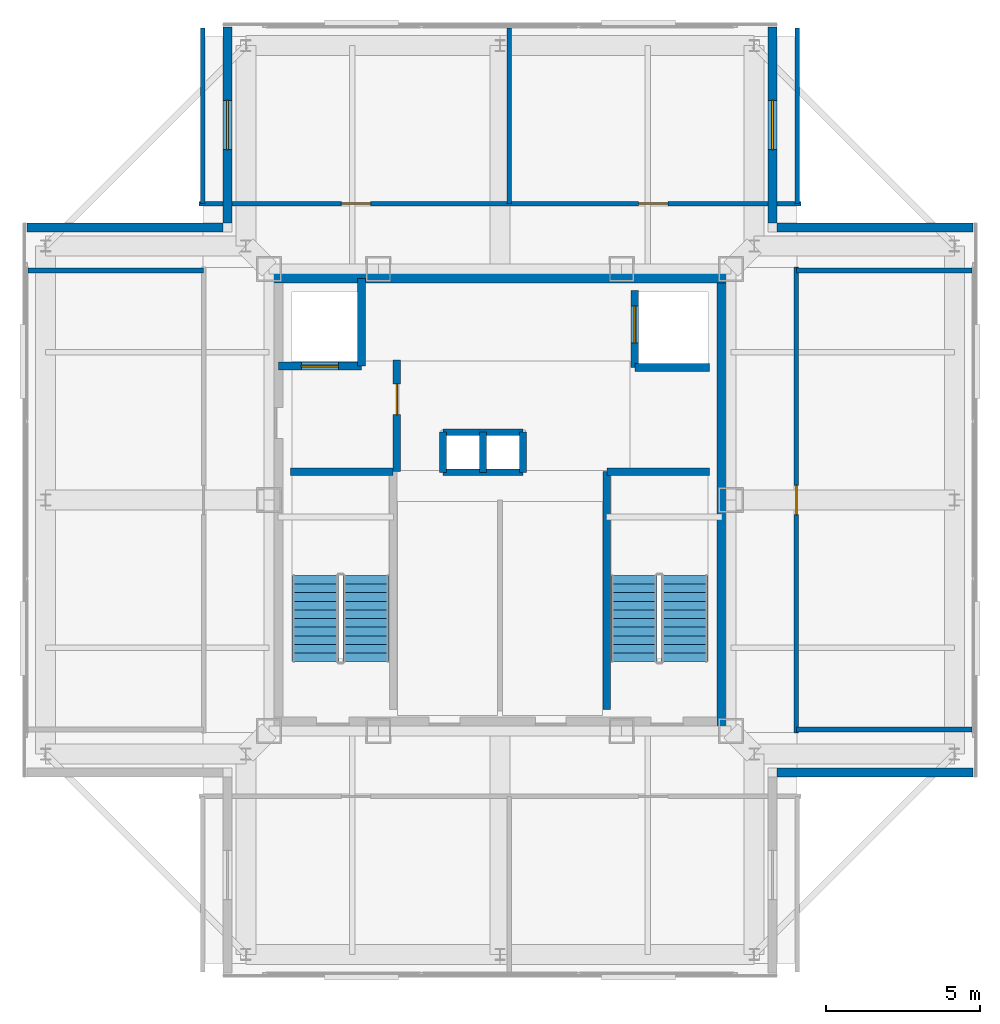
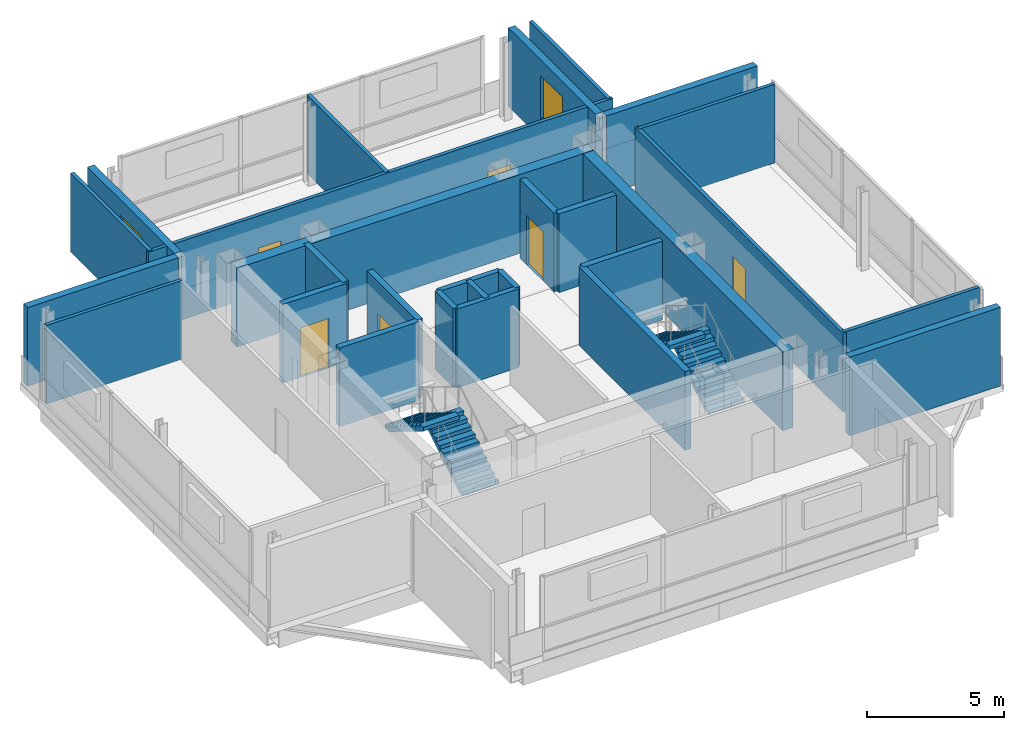
# One storey, part 7 of 10: 28 walls, 6 doors, 4 stair flights, 2 windows, 8 openings, 2 elements without a shape of their own.
"""IFC4 building model written with IfcOpenShell, lengths in metres."""

from ifc_helpers import new_model, si_unit, direction, frame, frame_2d, origin, place, context, subcontext, project, spatial, polyline, rectangle, outline, extrude, material, layer, layer_set, type_object, element, fill, aggregate, save


model = new_model("IFC4")

# Units and contexts
model_context = context("Model", 3, precision=1e-05, world=origin(), true_north=direction((0.0, 1.0)))
body_context = subcontext(model_context, "Body", "Model", "MODEL_VIEW")
ifc_project = project(units=[si_unit("LENGTHUNIT", "METRE"), si_unit("AREAUNIT", "SQUARE_METRE"), si_unit("VOLUMEUNIT", "CUBIC_METRE"), si_unit("PLANEANGLEUNIT", "RADIAN"), si_unit("MASSUNIT", "GRAM", prefix="KILO")], contexts=[model_context])

# Site, building, storey
site_placement = place(None, origin())
site = spatial("IfcSite", under=ifc_project, at=site_placement, CompositionType="ELEMENT")
building_placement = place(site_placement, origin())
building = spatial("IfcBuilding", under=site, at=building_placement, Name="Trevonay Congress Spire", CompositionType="ELEMENT")
storey_placement = place(building_placement, frame((0.0, 0.0, 319.800048828125)))
storey = spatial("IfcBuildingStorey", under=building, at=storey_placement, Name="L84", CompositionType="ELEMENT", Elevation=319.800048828125)

# Walls
ifc_material_1 = material(Name="Concrete C50/60", Category="concrete")
ifc_layer_1 = layer(ifc_material_1, 0.449951171875, Name="Concrete C50/60")
ifc_layer_set_1 = layer_set([ifc_layer_1], Name="Concrete C50/60")
wall_type_1 = type_object("IfcWallType", Name="WAL-CORE-450", PredefinedType="SHEAR", material=ifc_layer_set_1)
for number, where, z_axis, x_axis, name in (
    (1, (-7.5, 7.27490234375, 0.0), (0.0, 0.0, 1.0), (1.0, 0.0, 0.0), "L84 North structural core shear wall"),
    (2, (7.27490234375, -7.5, 0.0), (0.0, 0.0, 1.0), (0.0, 1.0, 0.0), "L84 East structural core shear wall"),
):
    element("IfcWall", number, at=place(storey_placement, frame(where, z_axis=z_axis, x_axis=x_axis)), inside=storey, type_object=wall_type_1, Name=name, PredefinedType="SHEAR", context=body_context, shape_type="SweptSolid", body=[
        extrude(rectangle(XDim=15.0, YDim=0.449951171875, at=frame_2d((7.5, 0.0))), origin(), (0.0, 0.0, 1.0), 3.5),
    ])

# Wall, openings, doors
ifc_material_2 = material(Name="Concrete C40/50", Category="concrete")
ifc_layer_2 = layer(ifc_material_2, 0.14990234375, Name="Concrete C40/50")
ifc_layer_set_2 = layer_set([ifc_layer_2], Name="Concrete C40/50")
wall_type_2 = type_object("IfcWallType", Name="WAL-CORR-150", PredefinedType="PARTITIONING", material=ifc_layer_set_2)
wall_1_placement = place(storey_placement, frame((-9.77001953125, 9.6201171875, 0.0), z_axis=(0.0, 0.0, 1.0), x_axis=(1.0, 0.0, 0.0)))
wall_1 = element("IfcWall", 3, at=wall_1_placement, inside=storey, type_object=wall_type_2, Name="L84 interior wall WP-L84N-COR", PredefinedType="PARTITIONING", context=body_context, shape_type="SweptSolid", body=[
    extrude(rectangle(XDim=19.5400390625, YDim=0.14990234375, at=frame_2d((9.77001953125, 0.0))), origin(), (0.0, 0.0, 1.0), 3.5),
])
opening_1_placement = place(wall_1_placement, frame((4.6201171875, 0.0, 0.0)))
opening_1 = element("IfcOpeningElement", 4, at=opening_1_placement, cuts=wall_1, Name="Opening D07", PredefinedType="OPENING", context=body_context, shape_type="SweptSolid", body=[
    extrude(rectangle(XDim=0.949951171875, YDim=2.06005859375, at=frame_2d((0.47509765625, 1.030029296875))), frame((0.0, 0.0849609375, 0.0), z_axis=(0.0, -1.0, 0.0), x_axis=(1.0, 0.0, 0.0)), (0.0, 0.0, 1.0), 0.169921875),
])
opening_2_placement = place(wall_1_placement, frame((14.27001953125, 0.0, 0.0)))
opening_2 = element("IfcOpeningElement", 5, at=opening_2_placement, cuts=wall_1, Name="Opening D07", PredefinedType="OPENING", context=body_context, shape_type="SweptSolid", body=[
    extrude(rectangle(XDim=0.949951171875, YDim=2.06005859375, at=frame_2d((0.47509765625, 1.030029296875))), frame((0.0, 0.0849609375, 0.0), z_axis=(0.0, -1.0, 0.0), x_axis=(1.0, 0.0, 0.0)), (0.0, 0.0, 1.0), 0.169921875),
])
ifc_material_3 = material(Name="Pale Anodised Aluminium EN AW-6063-T6", Category="aluminium")
door_type_1 = type_object("IfcDoorType", Name="DOR-OFFICE-95", OperationType="NOTDEFINED", PredefinedType="DOOR", material=ifc_material_3)
door_1_placement = place(opening_1_placement, origin())
door_1 = element("IfcDoor", 6, at=door_1_placement, inside=storey, type_object=door_type_1, Name="L84 Crown Electrical Switchroom Plant Door", OperationType="SINGLE_SWING_RIGHT", OverallHeight=2.06005859375, OverallWidth=0.949951171875, PredefinedType="DOOR", context=body_context, shape_type="SweptSolid", body=[
    extrude(rectangle(XDim=0.949951171875, YDim=2.06005859375, at=frame_2d((0.47509765625, 1.030029296875))), frame((0.0, 0.02490234375, 0.0), z_axis=(0.0, -1.0, 0.0), x_axis=(1.0, 0.0, 0.0)), (0.0, 0.0, 1.0), 0.050048828125),
])
fill(opening_1, door_1)
door_2_placement = place(opening_2_placement, origin())
door_2 = element("IfcDoor", 7, at=door_2_placement, inside=storey, type_object=door_type_1, Name="L84 Standby UPS Battery Plant Door", OperationType="SINGLE_SWING_LEFT", OverallHeight=2.06005859375, OverallWidth=0.949951171875, PredefinedType="DOOR", context=body_context, shape_type="SweptSolid", body=[
    extrude(rectangle(XDim=0.949951171875, YDim=2.06005859375, at=frame_2d((0.47509765625, 1.030029296875))), frame((0.0, 0.02490234375, 0.0), z_axis=(0.0, -1.0, 0.0), x_axis=(1.0, 0.0, 0.0)), (0.0, 0.0, 1.0), 0.050048828125),
])
fill(opening_2, door_2)

# Wall, opening, door
wall_2_placement = place(storey_placement, frame((9.6201171875, -7.570068359375, 0.0), z_axis=(0.0, 0.0, 1.0), x_axis=(0.0, 1.0, 0.0)))
wall_2 = element("IfcWall", 8, at=wall_2_placement, inside=storey, type_object=wall_type_2, Name="L84 interior wall WP-L84E-COR", PredefinedType="PARTITIONING", context=body_context, shape_type="SweptSolid", body=[
    extrude(rectangle(XDim=15.14013671875, YDim=0.14990234375, at=frame_2d((7.570068359375, 0.0))), origin(), (0.0, 0.0, 1.0), 3.5),
])
opening_3_placement = place(wall_2_placement, frame((7.094970703125, 0.0, 0.0)))
opening_3 = element("IfcOpeningElement", 9, at=opening_3_placement, cuts=wall_2, Name="Opening D07", PredefinedType="OPENING", context=body_context, shape_type="SweptSolid", body=[
    extrude(rectangle(XDim=0.949951171875, YDim=2.06005859375, at=frame_2d((0.47509765625, 1.030029296875))), frame((0.0, 0.0849609375, 0.0), z_axis=(0.0, -1.0, 0.0), x_axis=(1.0, 0.0, 0.0)), (0.0, 0.0, 1.0), 0.169921875),
])
door_3_placement = place(opening_3_placement, origin())
door_3 = element("IfcDoor", 10, at=door_3_placement, inside=storey, type_object=door_type_1, Name="L84 Crown Lift Machine Plant Door", OperationType="SINGLE_SWING_LEFT", OverallHeight=2.06005859375, OverallWidth=0.949951171875, PredefinedType="DOOR", context=body_context, shape_type="SweptSolid", body=[
    extrude(rectangle(XDim=0.949951171875, YDim=2.06005859375, at=frame_2d((0.47509765625, 1.030029296875))), frame((0.0, 0.02490234375, 0.0), z_axis=(0.0, -1.0, 0.0), x_axis=(1.0, 0.0, 0.0)), (0.0, 0.0, 1.0), 0.050048828125),
])
fill(opening_3, door_3)

# Wall
ifc_material_4 = material(Name="Precast concrete C40/50", Category="concrete")
ifc_layer_3 = layer(ifc_material_4, 0.300048828125, Name="Precast concrete C40/50")
ifc_layer_set_3 = layer_set([ifc_layer_3], Name="Precast concrete C40/50")
wall_type_3 = type_object("IfcWallType", Name="WAL-EXT-PRECAST-300", PredefinedType="SOLIDWALL", material=ifc_layer_set_3)
wall_3_placement = place(storey_placement, frame((15.35009765625, -8.85009765625, 0.0), z_axis=(0.0, 0.0, 1.0), x_axis=(-1.0, 0.0, 0.0)))
element("IfcWall", 11, at=wall_3_placement, inside=storey, type_object=wall_type_3, Name="L84 SE re-entrant notch exterior wall 2", PredefinedType="SOLIDWALL", context=body_context, shape_type="SweptSolid", body=[
    extrude(rectangle(XDim=6.35009765625, YDim=0.300048828125, at=frame_2d((3.175048828125, 0.0))), origin(), (0.0, 0.0, 1.0), 3.5),
])

# Wall, opening, window
wall_4_placement = place(storey_placement, frame((8.85009765625, 15.35009765625, 0.0), z_axis=(0.0, 0.0, 1.0), x_axis=(0.0, -1.0, 0.0)))
wall_4 = element("IfcWall", 12, at=wall_4_placement, inside=storey, type_object=wall_type_3, Name="L84 NE re-entrant notch exterior wall 1", PredefinedType="SOLIDWALL", context=body_context, shape_type="SweptSolid", body=[
    extrude(rectangle(XDim=6.35009765625, YDim=0.300048828125, at=frame_2d((3.175048828125, 0.0))), origin(), (0.0, 0.0, 1.0), 3.5),
])
opening_4_placement = place(wall_4_placement, frame((2.375, 0.0, 0.89990234375)))
opening_4 = element("IfcOpeningElement", 13, at=opening_4_placement, cuts=wall_4, Name="Opening WN04", PredefinedType="OPENING", context=body_context, shape_type="SweptSolid", body=[
    extrude(rectangle(XDim=1.60009765625, YDim=1.89990234375, at=frame_2d((0.800048828125, 0.949951171875))), frame((0.0, 0.16015625, 0.0), z_axis=(0.0, -1.0, 0.0), x_axis=(1.0, 0.0, 0.0)), (0.0, 0.0, 1.0), 0.320068359375),
])
ifc_material_5 = material(Name="Insulated Low-E Vision Glass IGU", Category="glass")
window_type = type_object("IfcWindowType", Name="WIN-CROWN-160X190", PartitioningType="SINGLE_PANEL", PredefinedType="WINDOW", material=ifc_material_5)
window_1_placement = place(opening_4_placement, origin())
window_1 = element("IfcWindow", 14, at=window_1_placement, inside=storey, type_object=window_type, Name="L84 NE corner notch window", OverallHeight=1.89990234375, OverallWidth=1.60009765625, PartitioningType="SINGLE_PANEL", PredefinedType="WINDOW", context=body_context, shape_type="SweptSolid", body=[
    extrude(rectangle(XDim=1.60009765625, YDim=1.89990234375, at=frame_2d((0.800048828125, 0.949951171875))), frame((0.0, 0.030029296875, 0.0), z_axis=(0.0, -1.0, 0.0), x_axis=(1.0, 0.0, 0.0)), (0.0, 0.0, 1.0), 0.06005859375),
])
fill(opening_4, window_1)

# Wall
wall_5_placement = place(storey_placement, frame((15.35009765625, 8.85009765625, 0.0), z_axis=(0.0, 0.0, 1.0), x_axis=(-1.0, 0.0, 0.0)))
element("IfcWall", 15, at=wall_5_placement, inside=storey, type_object=wall_type_3, Name="L84 NE re-entrant notch exterior wall 2", PredefinedType="SOLIDWALL", context=body_context, shape_type="SweptSolid", body=[
    extrude(rectangle(XDim=6.35009765625, YDim=0.300048828125, at=frame_2d((3.175048828125, 0.0))), origin(), (0.0, 0.0, 1.0), 3.5),
])

# Wall, opening, window
wall_6_placement = place(storey_placement, frame((-8.85009765625, 15.35009765625, 0.0), z_axis=(0.0, 0.0, 1.0), x_axis=(0.0, -1.0, 0.0)))
wall_6 = element("IfcWall", 16, at=wall_6_placement, inside=storey, type_object=wall_type_3, Name="L84 NW re-entrant notch exterior wall 1", PredefinedType="SOLIDWALL", context=body_context, shape_type="SweptSolid", body=[
    extrude(rectangle(XDim=6.35009765625, YDim=0.300048828125, at=frame_2d((3.175048828125, 0.0))), origin(), (0.0, 0.0, 1.0), 3.5),
])
opening_5_placement = place(wall_6_placement, frame((2.375, 0.0, 0.89990234375)))
opening_5 = element("IfcOpeningElement", 17, at=opening_5_placement, cuts=wall_6, Name="Opening WN04", PredefinedType="OPENING", context=body_context, shape_type="SweptSolid", body=[
    extrude(rectangle(XDim=1.60009765625, YDim=1.89990234375, at=frame_2d((0.800048828125, 0.949951171875))), frame((0.0, 0.16015625, 0.0), z_axis=(0.0, -1.0, 0.0), x_axis=(1.0, 0.0, 0.0)), (0.0, 0.0, 1.0), 0.320068359375),
])
window_2_placement = place(opening_5_placement, origin())
window_2 = element("IfcWindow", 18, at=window_2_placement, inside=storey, type_object=window_type, Name="L84 NW corner notch window", OverallHeight=1.89990234375, OverallWidth=1.60009765625, PartitioningType="SINGLE_PANEL", PredefinedType="WINDOW", context=body_context, shape_type="SweptSolid", body=[
    extrude(rectangle(XDim=1.60009765625, YDim=1.89990234375, at=frame_2d((0.800048828125, 0.949951171875))), frame((0.0, 0.030029296875, 0.0), z_axis=(0.0, -1.0, 0.0), x_axis=(1.0, 0.0, 0.0)), (0.0, 0.0, 1.0), 0.06005859375),
])
fill(opening_5, window_2)

# Walls
wall_7_placement = place(storey_placement, frame((-15.35009765625, 8.85009765625, 0.0), z_axis=(0.0, 0.0, 1.0), x_axis=(1.0, 0.0, 0.0)))
element("IfcWall", 19, at=wall_7_placement, inside=storey, type_object=wall_type_3, Name="L84 NW re-entrant notch exterior wall 2", PredefinedType="SOLIDWALL", context=body_context, shape_type="SweptSolid", body=[
    extrude(rectangle(XDim=6.35009765625, YDim=0.300048828125, at=frame_2d((3.175048828125, 0.0))), origin(), (0.0, 0.0, 1.0), 3.5),
])
ifc_layer_4 = layer(ifc_material_2, 0.14990234375, Name="Concrete C40/50")
ifc_layer_set_4 = layer_set([ifc_layer_4], Name="Concrete C40/50")
wall_type_4 = type_object("IfcWallType", Name="WAL-PART-150", PredefinedType="PARTITIONING", material=ifc_layer_set_4)
for number, where, z_axis, x_axis, name in (
    (20, (-9.64990234375, 9.6201171875, 0.0), (0.0, 0.0, 1.0), (0.0, 1.0, 0.0), "L84 interior wall WP-L84N-DIV1"),
    (21, (0.300048828125, 9.6201171875, 0.0), (0.0, 0.0, 1.0), (0.0, 1.0, 0.0), "L84 interior wall WP-L84N-DIV2"),
    (22, (9.64990234375, 9.6201171875, 0.0), (0.0, 0.0, 1.0), (0.0, 1.0, 0.0), "L84 interior wall WP-L84N-DIV3"),
    (23, (-15.320068359375, 7.449951171875, 0.0), (0.0, 0.0, 1.0), (1.0, 0.0, 0.0), "L84 interior wall WP-L84W-DIV2"),
    (24, (9.6201171875, -7.449951171875, 0.0), (0.0, 0.0, 1.0), (1.0, 0.0, 0.0), "L84 interior wall WP-L84E-DIV1"),
    (25, (9.6201171875, 7.449951171875, 0.0), (0.0, 0.0, 1.0), (1.0, 0.0, 0.0), "L84 interior wall WP-L84E-DIV2"),
):
    element("IfcWall", number, at=place(storey_placement, frame(where, z_axis=z_axis, x_axis=x_axis)), inside=storey, type_object=wall_type_4, Name=name, PredefinedType="PARTITIONING", context=body_context, shape_type="SweptSolid", body=[
        extrude(rectangle(XDim=5.699951171875, YDim=0.14990234375, at=frame_2d((2.85009765625, 0.0))), origin(), (0.0, 0.0, 1.0), 3.5),
    ])
ifc_layer_5 = layer(ifc_material_2, 0.219970703125, Name="Concrete C40/50")
ifc_layer_set_5 = layer_set([ifc_layer_5], Name="Concrete C40/50")
wall_type_5 = type_object("IfcWallType", Name="WAL-SHAFT-220", PredefinedType="PARTITIONING", material=ifc_layer_set_5)
for number, where, z_axis, x_axis, name in (
    (26, (-1.85009765625, 2.199951171875, 0.0), (0.0, 0.0, 1.0), (1.0, 0.0, 0.0), "L84 interior shaft wall WSH-L84-RSR-N"),
    (27, (-1.85009765625, 0.89990234375, 0.0), (0.0, 0.0, 1.0), (1.0, 0.0, 0.0), "L84 interior shaft wall WSH-L84-RSR-S"),
):
    element("IfcWall", number, at=place(storey_placement, frame(where, z_axis=z_axis, x_axis=x_axis)), inside=storey, type_object=wall_type_5, Name=name, PredefinedType="PARTITIONING", context=body_context, shape_type="SweptSolid", body=[
        extrude(rectangle(XDim=2.60009765625, YDim=0.219970703125, at=frame_2d((1.300048828125, 0.0))), origin(), (0.0, 0.0, 1.0), 3.5),
    ])
for number, where, z_axis, x_axis, name in (
    (28, (-0.550048828125, 0.89990234375, 0.0), (0.0, 0.0, 1.0), (0.0, 1.0, 0.0), "L84 interior shaft wall WSH-L84-RSR-M"),
    (29, (0.75, 0.89990234375, 0.0), (0.0, 0.0, 1.0), (0.0, 1.0, 0.0), "L84 interior shaft wall WSH-L84-RSR-E"),
    (30, (-1.85009765625, 0.89990234375, 0.0), (0.0, 0.0, 1.0), (0.0, 1.0, 0.0), "L84 interior shaft wall WSH-L84-RSR-W"),
):
    element("IfcWall", number, at=place(storey_placement, frame(where, z_axis=z_axis, x_axis=x_axis)), inside=storey, type_object=wall_type_5, Name=name, PredefinedType="PARTITIONING", context=body_context, shape_type="SweptSolid", body=[
        extrude(rectangle(XDim=1.300048828125, YDim=0.219970703125, at=frame_2d((0.64990234375, 0.0))), origin(), (0.0, 0.0, 1.0), 3.5),
    ])

# Wall, opening, door
ifc_layer_6 = layer(ifc_material_2, 0.25, Name="Concrete C40/50")
ifc_layer_set_6 = layer_set([ifc_layer_6], Name="Concrete C40/50")
wall_type_6 = type_object("IfcWallType", Name="WAL-SHAFT-250", PredefinedType="SHEAR", material=ifc_layer_set_6)
wall_8_placement = place(storey_placement, frame((-7.199951171875, 4.35009765625, 0.0), z_axis=(0.0, 0.0, 1.0), x_axis=(1.0, 0.0, 0.0)))
wall_8 = element("IfcWall", 31, at=wall_8_placement, inside=storey, type_object=wall_type_6, Name="L84 interior shaft wall WSH-L84-FF1-S", PredefinedType="SHEAR", context=body_context, shape_type="SweptSolid", body=[
    extrude(rectangle(XDim=2.699951171875, YDim=0.25, at=frame_2d((1.35009765625, 0.0))), origin(), (0.0, 0.0, 1.0), 3.5),
])
opening_6_placement = place(wall_8_placement, frame((0.75, 0.0, 0.0)))
opening_6 = element("IfcOpeningElement", 32, at=opening_6_placement, cuts=wall_8, Name="Opening LD04", PredefinedType="OPENING", context=body_context, shape_type="SweptSolid", body=[
    extrude(rectangle(XDim=1.199951171875, YDim=2.199951171875, at=frame_2d((0.60009765625, 1.10009765625))), frame((0.0, 0.135009765625, 0.0), z_axis=(0.0, -1.0, 0.0), x_axis=(1.0, 0.0, 0.0)), (0.0, 0.0, 1.0), 0.27001953125),
])
ifc_material_6 = material(Name="Steel ASTM A572 Grade 50", Category="steel")
door_type_2 = type_object("IfcDoorType", Name="DOR-LIFT-LD04", OperationType="DOUBLE_DOOR_SLIDING", PredefinedType="DOOR", material=ifc_material_6)
door_4_placement = place(opening_6_placement, origin())
door_4 = element("IfcDoor", 33, at=door_4_placement, inside=storey, type_object=door_type_2, Name="L84 Firefighting lift FFL-01 landing door", OperationType="DOUBLE_DOOR_SLIDING", OverallHeight=2.199951171875, OverallWidth=1.199951171875, PredefinedType="DOOR", context=body_context, shape_type="SweptSolid", body=[
    extrude(rectangle(XDim=1.199951171875, YDim=2.199951171875, at=frame_2d((0.60009765625, 1.10009765625))), frame((0.0, 0.02490234375, 0.0), z_axis=(0.0, -1.0, 0.0), x_axis=(1.0, 0.0, 0.0)), (0.0, 0.0, 1.0), 0.050048828125),
])
fill(opening_6, door_4)

# Walls
wall_9_placement = place(storey_placement, frame((-4.5, 4.35009765625, 0.0), z_axis=(0.0, 0.0, 1.0), x_axis=(0.0, 1.0, 0.0)))
element("IfcWall", 34, at=wall_9_placement, inside=storey, type_object=wall_type_6, Name="L84 interior shaft wall WSH-L84-FF1-E", PredefinedType="SHEAR", context=body_context, shape_type="SweptSolid", body=[
    extrude(rectangle(XDim=2.849853515625, YDim=0.25, at=frame_2d((1.4248046875, 0.0))), origin(), (0.0, 0.0, 1.0), 3.5),
])
wall_10_placement = place(storey_placement, frame((4.3798828125, 4.300048828125, 0.0), z_axis=(0.0, 0.0, 1.0), x_axis=(1.0, 0.0, 0.0)))
element("IfcWall", 35, at=wall_10_placement, inside=storey, type_object=wall_type_6, Name="L84 interior shaft wall WSH-L84-FF2-S", PredefinedType="SHEAR", context=body_context, shape_type="SweptSolid", body=[
    extrude(rectangle(XDim=2.420166015625, YDim=0.25, at=frame_2d((1.2099609375, 0.0))), origin(), (0.0, 0.0, 1.0), 3.5),
])

# Wall, opening, door
wall_11_placement = place(storey_placement, frame((4.3798828125, 4.300048828125, 0.0), z_axis=(0.0, 0.0, 1.0), x_axis=(0.0, 1.0, 0.0)))
wall_11 = element("IfcWall", 36, at=wall_11_placement, inside=storey, type_object=wall_type_6, Name="L84 interior shaft wall WSH-L84-FF2-W", PredefinedType="SHEAR", context=body_context, shape_type="SweptSolid", body=[
    extrude(rectangle(XDim=2.5, YDim=0.25, at=frame_2d((1.25, 0.0))), origin(), (0.0, 0.0, 1.0), 3.5),
])
opening_7_placement = place(wall_11_placement, frame((0.800048828125, 0.0, 0.0)))
opening_7 = element("IfcOpeningElement", 37, at=opening_7_placement, cuts=wall_11, Name="Opening LD04", PredefinedType="OPENING", context=body_context, shape_type="SweptSolid", body=[
    extrude(rectangle(XDim=1.199951171875, YDim=2.199951171875, at=frame_2d((0.60009765625, 1.10009765625))), frame((0.0, 0.135009765625, 0.0), z_axis=(0.0, -1.0, 0.0), x_axis=(1.0, 0.0, 0.0)), (0.0, 0.0, 1.0), 0.27001953125),
])
door_5_placement = place(opening_7_placement, origin())
door_5 = element("IfcDoor", 38, at=door_5_placement, inside=storey, type_object=door_type_2, Name="L84 Firefighting lift FFL-02 landing door", OperationType="DOUBLE_DOOR_SLIDING", OverallHeight=2.199951171875, OverallWidth=1.199951171875, PredefinedType="DOOR", context=body_context, shape_type="SweptSolid", body=[
    extrude(rectangle(XDim=1.199951171875, YDim=2.199951171875, at=frame_2d((0.60009765625, 1.10009765625))), frame((0.0, 0.02490234375, 0.0), z_axis=(0.0, -1.0, 0.0), x_axis=(1.0, 0.0, 0.0)), (0.0, 0.0, 1.0), 0.050048828125),
])
fill(opening_7, door_5)

wall_12_placement = place(storey_placement, frame((-3.35009765625, 0.919921875, 0.0), z_axis=(0.0, 0.0, 1.0), x_axis=(0.0, 1.0, 0.0)))
wall_12 = element("IfcWall", 39, at=wall_12_placement, inside=storey, type_object=wall_type_6, Name="L84 interior wall CW-FFLW-E-L84", PredefinedType="SHEAR", context=body_context, shape_type="SweptSolid", body=[
    extrude(rectangle(XDim=3.6201171875, YDim=0.25, at=frame_2d((1.81005859375, 0.0))), origin(), (0.0, 0.0, 1.0), 3.5),
])
opening_8_placement = place(wall_12_placement, frame((1.85009765625, 0.0, 0.0)))
opening_8 = element("IfcOpeningElement", 40, at=opening_8_placement, cuts=wall_12, Name="Opening D06", PredefinedType="OPENING", context=body_context, shape_type="SweptSolid", body=[
    extrude(rectangle(XDim=1.0, YDim=2.080078125, at=frame_2d((0.5, 1.0400390625))), frame((0.0, 0.135009765625, 0.0), z_axis=(0.0, -1.0, 0.0), x_axis=(1.0, 0.0, 0.0)), (0.0, 0.0, 1.0), 0.27001953125),
])
door_type_3 = type_object("IfcDoorType", Name="DOR-FIRE-100", OperationType="NOTDEFINED", PredefinedType="DOOR", material=ifc_material_6)
door_6_placement = place(opening_8_placement, origin())
door_6 = element("IfcDoor", 41, at=door_6_placement, inside=storey, type_object=door_type_3, Name="L84 Firefighting Core Lobby Transfer Door", OperationType="SINGLE_SWING_LEFT", OverallHeight=2.080078125, OverallWidth=1.0, PredefinedType="DOOR", context=body_context, shape_type="SweptSolid", body=[
    extrude(rectangle(XDim=1.0, YDim=2.080078125, at=frame_2d((0.5, 1.0400390625))), frame((0.0, 0.02490234375, 0.0), z_axis=(0.0, -1.0, 0.0), x_axis=(1.0, 0.0, 0.0)), (0.0, 0.0, 1.0), 0.050048828125),
])
fill(opening_8, door_6)

# Walls
ifc_layer_7 = layer(ifc_material_2, 0.25, Name="Concrete C40/50")
ifc_layer_set_7 = layer_set([ifc_layer_7], Name="Concrete C40/50")
wall_type_7 = type_object("IfcWallType", Name="WAL-SHAFT-LB-250", PredefinedType="SHEAR", material=ifc_layer_set_7)
wall_13_placement = place(storey_placement, frame((-6.800048828125, 0.919921875, 0.0), z_axis=(0.0, 0.0, 1.0), x_axis=(1.0, 0.0, 0.0)))
element("IfcWall", 42, at=wall_13_placement, inside=storey, type_object=wall_type_7, Name="L84 interior shaft wall WSH-L84-ST1-N", PredefinedType="SHEAR", context=body_context, shape_type="SweptSolid", body=[
    extrude(rectangle(XDim=3.330078125, YDim=0.25, at=frame_2d((1.6650390625, 0.0))), origin(), (0.0, 0.0, 1.0), 3.5),
])
wall_14_placement = place(storey_placement, frame((3.469970703125, -6.800048828125, 0.0), z_axis=(0.0, 0.0, 1.0), x_axis=(0.0, 1.0, 0.0)))
element("IfcWall", 43, at=wall_14_placement, inside=storey, type_object=wall_type_7, Name="L84 interior shaft wall WSH-L84-ST2-W", PredefinedType="SHEAR", context=body_context, shape_type="SweptSolid", body=[
    extrude(rectangle(XDim=7.719970703125, YDim=0.25, at=frame_2d((3.85986328125, 0.0))), origin(), (0.0, 0.0, 1.0), 3.5),
])
wall_15_placement = place(storey_placement, frame((3.469970703125, 0.919921875, 0.0), z_axis=(0.0, 0.0, 1.0), x_axis=(1.0, 0.0, 0.0)))
element("IfcWall", 44, at=wall_15_placement, inside=storey, type_object=wall_type_7, Name="L84 interior shaft wall WSH-L84-ST2-N", PredefinedType="SHEAR", context=body_context, shape_type="SweptSolid", body=[
    extrude(rectangle(XDim=3.330078125, YDim=0.25, at=frame_2d((1.6650390625, 0.0))), origin(), (0.0, 0.0, 1.0), 3.5),
])

# Stair, stair flights
stair_type_1 = type_object("IfcStairType", Name="STR-ST-1", PredefinedType="HALF_TURN_STAIR", material=ifc_material_2)
stair_1_placement = place(storey_placement, origin())
stair_1 = element("IfcStair", 45, at=stair_1_placement, inside=storey, type_object=stair_type_1, Name="L84 Protected Exit Stair ST-1", PredefinedType="HALF_TURN_STAIR")
stair_flight_type_1 = type_object("IfcStairFlightType", Name="SFL-ST-1", PredefinedType="STRAIGHT", material=ifc_material_2)
stair_flight_1_placement = place(storey_placement, frame((-4.35009765625, -5.25, 0.0), z_axis=(0.0, 0.0, 1.0), x_axis=(0.0, 1.0, 0.0)))
stair_flight_1 = element("IfcStairFlight", 46, at=stair_flight_1_placement, type_object=stair_flight_type_1, Name="ST-1 flight 1", NumberOfRisers=11, NumberOfTreads=10, PredefinedType="STRAIGHT", RiserHeight=0.172727273, TreadLength=0.28, context=body_context, shape_type="SweptSolid", body=[
    extrude(outline(polyline([(0.0, 0.0), (0.0, 0.172607421875), (0.280029296875, 0.172607421875), (0.280029296875, 0.345458984375), (0.56005859375, 0.345458984375), (0.56005859375, 0.51806640625), (0.840087890625, 0.51806640625), (0.840087890625, 0.69091796875), (1.1201171875, 0.69091796875), (1.1201171875, 0.863525390625), (1.39990234375, 0.863525390625), (1.39990234375, 1.036376953125), (1.679931640625, 1.036376953125), (1.679931640625, 1.208984375), (1.9599609375, 1.208984375), (1.9599609375, 1.3818359375), (2.239990234375, 1.3818359375), (2.239990234375, 1.554443359375), (2.52001953125, 1.554443359375), (2.52001953125, 1.727294921875), (2.800048828125, 1.727294921875), (2.800048828125, 1.89990234375), (2.800048828125, 1.551025390625), (0.285400390625, 0.0), (0.0, 0.0)])), frame((0.0, 0.75, 0.0), z_axis=(0.0, -1.0, 0.0), x_axis=(1.0, 0.0, 0.0)), (0.0, 0.0, 1.0), 1.5),
])
stair_flight_2_placement = place(storey_placement, frame((-6.0, -2.449951171875, 1.89990234375), z_axis=(0.0, 0.0, 1.0), x_axis=(0.0, -1.0, 0.0)))
stair_flight_2 = element("IfcStairFlight", 47, at=stair_flight_2_placement, type_object=stair_flight_type_1, Name="ST-1 flight 2", NumberOfRisers=11, NumberOfTreads=10, PredefinedType="STRAIGHT", RiserHeight=0.172727273, TreadLength=0.28, context=body_context, shape_type="SweptSolid", body=[
    extrude(outline(polyline([(0.0, 0.0), (0.0, 0.172607421875), (0.280029296875, 0.172607421875), (0.280029296875, 0.345458984375), (0.56005859375, 0.345458984375), (0.56005859375, 0.51806640625), (0.840087890625, 0.51806640625), (0.840087890625, 0.69091796875), (1.1201171875, 0.69091796875), (1.1201171875, 0.863525390625), (1.39990234375, 0.863525390625), (1.39990234375, 1.036376953125), (1.679931640625, 1.036376953125), (1.679931640625, 1.208984375), (1.9599609375, 1.208984375), (1.9599609375, 1.3818359375), (2.239990234375, 1.3818359375), (2.239990234375, 1.554443359375), (2.52001953125, 1.554443359375), (2.52001953125, 1.727294921875), (2.800048828125, 1.727294921875), (2.800048828125, 1.89990234375), (2.800048828125, 1.551025390625), (0.285400390625, 0.0), (0.0, 0.0)])), frame((0.0, 0.75, 0.0), z_axis=(0.0, -1.0, 0.0), x_axis=(1.0, 0.0, 0.0)), (0.0, 0.0, 1.0), 1.5),
])
aggregate(stair_1, [stair_flight_1, stair_flight_2])

stair_type_2 = type_object("IfcStairType", Name="STR-ST-2", PredefinedType="HALF_TURN_STAIR", material=ifc_material_2)
stair_2_placement = place(storey_placement, origin())
stair_2 = element("IfcStair", 48, at=stair_2_placement, inside=storey, type_object=stair_type_2, Name="L84 Protected Exit Stair ST-2", PredefinedType="HALF_TURN_STAIR")
stair_flight_type_2 = type_object("IfcStairFlightType", Name="SFL-ST-2", PredefinedType="STRAIGHT", material=ifc_material_2)
stair_flight_3_placement = place(storey_placement, frame((6.0, -5.25, 0.0), z_axis=(0.0, 0.0, 1.0), x_axis=(0.0, 1.0, 0.0)))
stair_flight_3 = element("IfcStairFlight", 49, at=stair_flight_3_placement, type_object=stair_flight_type_2, Name="ST-2 flight 1", NumberOfRisers=11, NumberOfTreads=10, PredefinedType="STRAIGHT", RiserHeight=0.172727273, TreadLength=0.28, context=body_context, shape_type="SweptSolid", body=[
    extrude(outline(polyline([(0.0, 0.0), (0.0, 0.172607421875), (0.280029296875, 0.172607421875), (0.280029296875, 0.345458984375), (0.56005859375, 0.345458984375), (0.56005859375, 0.51806640625), (0.840087890625, 0.51806640625), (0.840087890625, 0.69091796875), (1.1201171875, 0.69091796875), (1.1201171875, 0.863525390625), (1.39990234375, 0.863525390625), (1.39990234375, 1.036376953125), (1.679931640625, 1.036376953125), (1.679931640625, 1.208984375), (1.9599609375, 1.208984375), (1.9599609375, 1.3818359375), (2.239990234375, 1.3818359375), (2.239990234375, 1.554443359375), (2.52001953125, 1.554443359375), (2.52001953125, 1.727294921875), (2.800048828125, 1.727294921875), (2.800048828125, 1.89990234375), (2.800048828125, 1.551025390625), (0.285400390625, 0.0), (0.0, 0.0)])), frame((0.0, 0.75, 0.0), z_axis=(0.0, -1.0, 0.0), x_axis=(1.0, 0.0, 0.0)), (0.0, 0.0, 1.0), 1.5),
])
stair_flight_4_placement = place(storey_placement, frame((4.35009765625, -2.449951171875, 1.89990234375), z_axis=(0.0, 0.0, 1.0), x_axis=(0.0, -1.0, 0.0)))
stair_flight_4 = element("IfcStairFlight", 50, at=stair_flight_4_placement, type_object=stair_flight_type_2, Name="ST-2 flight 2", NumberOfRisers=11, NumberOfTreads=10, PredefinedType="STRAIGHT", RiserHeight=0.172727273, TreadLength=0.28, context=body_context, shape_type="SweptSolid", body=[
    extrude(outline(polyline([(0.0, 0.0), (0.0, 0.172607421875), (0.280029296875, 0.172607421875), (0.280029296875, 0.345458984375), (0.56005859375, 0.345458984375), (0.56005859375, 0.51806640625), (0.840087890625, 0.51806640625), (0.840087890625, 0.69091796875), (1.1201171875, 0.69091796875), (1.1201171875, 0.863525390625), (1.39990234375, 0.863525390625), (1.39990234375, 1.036376953125), (1.679931640625, 1.036376953125), (1.679931640625, 1.208984375), (1.9599609375, 1.208984375), (1.9599609375, 1.3818359375), (2.239990234375, 1.3818359375), (2.239990234375, 1.554443359375), (2.52001953125, 1.554443359375), (2.52001953125, 1.727294921875), (2.800048828125, 1.727294921875), (2.800048828125, 1.89990234375), (2.800048828125, 1.551025390625), (0.285400390625, 0.0), (0.0, 0.0)])), frame((0.0, 0.75, 0.0), z_axis=(0.0, -1.0, 0.0), x_axis=(1.0, 0.0, 0.0)), (0.0, 0.0, 1.0), 1.5),
])
aggregate(stair_2, [stair_flight_3, stair_flight_4])

save(model, "model.ifc")
